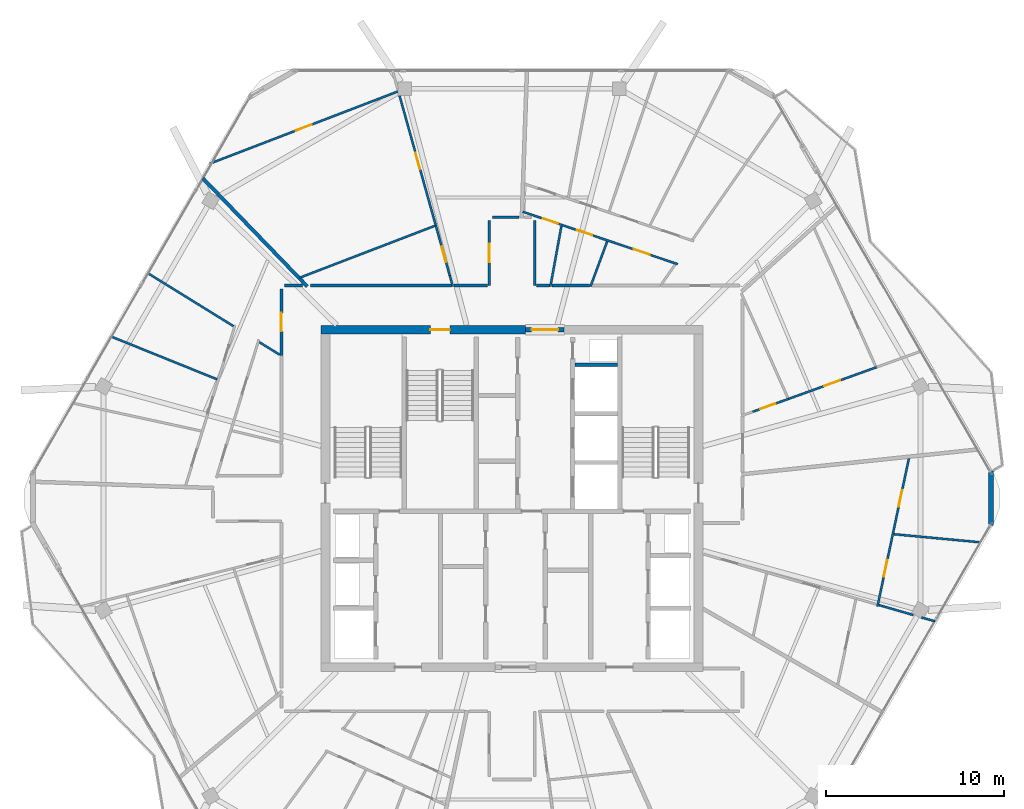
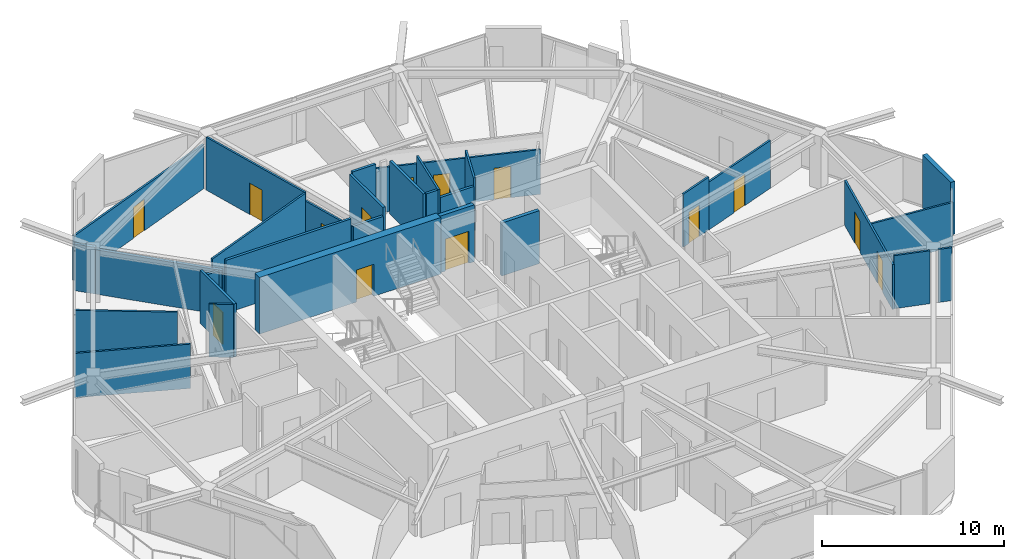
# One storey, part 15 of 18: 32 walls, 14 doors, 14 openings.
"""IFC4 building model written with IfcOpenShell, lengths in metres."""

from ifc_helpers import new_model, si_unit, direction, frame, frame_2d, origin, place, context, subcontext, project, spatial, rectangle, extrude, material, layer, layer_set, type_object, element, fill, save


model = new_model("IFC4")

# Units and contexts
model_context = context("Model", 3, precision=1e-05, world=origin(), true_north=direction((0.0, 1.0)))
body_context = subcontext(model_context, "Body", "Model", "MODEL_VIEW")
ifc_project = project(units=[si_unit("LENGTHUNIT", "METRE"), si_unit("AREAUNIT", "SQUARE_METRE"), si_unit("VOLUMEUNIT", "CUBIC_METRE"), si_unit("PLANEANGLEUNIT", "RADIAN"), si_unit("MASSUNIT", "GRAM", prefix="KILO")], contexts=[model_context])

# Site, building, storey
site_placement = place(None, origin())
site = spatial("IfcSite", under=ifc_project, at=site_placement, CompositionType="ELEMENT")
building_placement = place(site_placement, origin())
building = spatial("IfcBuilding", under=site, at=building_placement, Name="Zuhravey Tower", CompositionType="ELEMENT")
storey_placement = place(building_placement, frame((0.0, 0.0, 342.39990234375)))
storey = spatial("IfcBuildingStorey", under=building, at=storey_placement, Name="L87", CompositionType="ELEMENT", Elevation=342.39990234375)

# Wall, opening, door
ifc_material_1 = material(Name="Concrete C50/60", Category="concrete")
ifc_layer_1 = layer(ifc_material_1, 0.5)
ifc_layer_set_1 = layer_set([ifc_layer_1], Name="Concrete C50/60")
wall_type_1 = type_object("IfcWallType", Name="Core Shear Wall 500", PredefinedType="SHEAR", material=ifc_layer_set_1)
wall_1_placement = place(storey_placement, frame((36.75, 41.5, 0.0), z_axis=(0.0, 0.0, 1.0), x_axis=(-1.0, 0.0, 0.0)))
wall_1 = element("IfcWall", 1, at=wall_1_placement, inside=storey, type_object=wall_type_1, Name="L87 North-West Core Shear Wall CW50", PredefinedType="SHEAR", context=body_context, shape_type="SweptSolid", body=[
    extrude(rectangle(XDim=11.5, YDim=0.5, at=frame_2d((5.75, 0.0))), origin(), (0.0, 0.0, 1.0), 3.800048828125),
])
opening_1_placement = place(wall_1_placement, frame((4.25, 0.0, 0.0)))
opening_1 = element("IfcOpeningElement", 2, at=opening_1_placement, cuts=wall_1, Name="Opening STD1", PredefinedType="OPENING", context=body_context, shape_type="SweptSolid", body=[
    extrude(rectangle(XDim=1.10009765625, YDim=2.14990234375, at=frame_2d((0.550048828125, 1.074951171875))), frame((0.0, 0.261962890625, 0.0), z_axis=(0.0, -1.0, 0.0), x_axis=(1.0, 0.0, 0.0)), (0.0, 0.0, 1.0), 0.52392578125),
])
ifc_material_2 = material(Name="Galvanised fire-rated steel leaf", Category="steel")
door_type_1 = type_object("IfcDoorType", Name="Protected Stair Fire Door 1100x2150", OperationType="NOTDEFINED", PredefinedType="USERDEFINED", material=ifc_material_2)
door_1_placement = place(opening_1_placement, origin())
door_1 = element("IfcDoor", 3, at=door_1_placement, inside=storey, type_object=door_type_1, Name="L87 Stair ST3 Door", ObjectType="EXITDOOR", OperationType="SINGLE_SWING_RIGHT", OverallHeight=2.14990234375, OverallWidth=1.10009765625, PredefinedType="USERDEFINED", context=body_context, shape_type="SweptSolid", body=[
    extrude(rectangle(XDim=1.10009765625, YDim=2.14990234375, at=frame_2d((0.550048828125, 1.074951171875))), frame((0.0, 0.02490234375, 0.0), z_axis=(0.0, -1.0, 0.0), x_axis=(1.0, 0.0, 0.0)), (0.0, 0.0, 1.0), 0.050048828125),
])
fill(opening_1, door_1)

ifc_material_3 = material(Name="Gypsum fire-rated stud partition")
ifc_layer_2 = layer(ifc_material_3, 0.159912109375)
ifc_layer_set_2 = layer_set([ifc_layer_2], Name="Gypsum fire-rated stud partition")
wall_type_2 = type_object("IfcWallType", Name="Corridor Fire Partition 160", PredefinedType="PARTITIONING", material=ifc_layer_set_2)
wall_2_placement = place(storey_placement, frame((34.719970703125, 47.64990234375, 0.0), z_axis=(0.0, 0.0, 1.0), x_axis=(0.0, -1.0, 0.0)))
wall_2 = element("IfcWall", 4, at=wall_2_placement, inside=storey, type_object=wall_type_2, Name="L87 IW16 Partition 026", PredefinedType="PARTITIONING", context=body_context, shape_type="SweptSolid", body=[
    extrude(rectangle(XDim=3.669921875, YDim=0.159912109375, at=frame_2d((1.8349609375, 0.0))), origin(), (0.0, 0.0, 1.0), 3.550048828125),
])
opening_2_placement = place(wall_2_placement, frame((1.31005859375, 0.0, 0.0)))
opening_2 = element("IfcOpeningElement", 5, at=opening_2_placement, cuts=wall_2, Name="Opening APD1", PredefinedType="OPENING", context=body_context, shape_type="SweptSolid", body=[
    extrude(rectangle(XDim=1.050048828125, YDim=2.14990234375, at=frame_2d((0.52490234375, 1.074951171875))), frame((0.0, 0.092041015625, 0.0), z_axis=(0.0, -1.0, 0.0), x_axis=(1.0, 0.0, 0.0)), (0.0, 0.0, 1.0), 0.183837890625),
])
ifc_material_4 = material(Name="Solid-core oak fire-rated leaf")
door_type_2 = type_object("IfcDoorType", Name="Apartment Entrance Fire Door 1050x2150", OperationType="NOTDEFINED", PredefinedType="DOOR", material=ifc_material_4)
door_2_placement = place(opening_2_placement, frame((1.050048828125, 0.0, 0.0), z_axis=(0.0, 0.0, 1.0), x_axis=(-1.0, 0.0, 0.0)))
door_2 = element("IfcDoor", 6, at=door_2_placement, inside=storey, type_object=door_type_2, Name="L87 Door 026.1", OperationType="SINGLE_SWING_RIGHT", OverallHeight=2.14990234375, OverallWidth=1.050048828125, PredefinedType="DOOR", context=body_context, shape_type="SweptSolid", body=[
    extrude(rectangle(XDim=1.050048828125, YDim=2.14990234375, at=frame_2d((0.52490234375, 1.074951171875))), frame((0.0, 0.02490234375, 0.0), z_axis=(0.0, -1.0, 0.0), x_axis=(1.0, 0.0, 0.0)), (0.0, 0.0, 1.0), 0.050048828125),
])
fill(opening_2, door_2)

wall_3_placement = place(storey_placement, frame((23.02001953125, 43.79931640625, 0.0), z_axis=(0.0, 0.0, 1.0), x_axis=(0.0, -1.0, 0.0)))
wall_3 = element("IfcWall", 7, at=wall_3_placement, inside=storey, type_object=wall_type_2, Name="L87 IW16 Partition 029", PredefinedType="PARTITIONING", context=body_context, shape_type="SweptSolid", body=[
    extrude(rectangle(XDim=3.74658203125, YDim=0.159912109375, at=frame_2d((1.873291015625, 0.0))), origin(), (0.0, 0.0, 1.0), 3.550048828125),
])
opening_3_placement = place(wall_3_placement, frame((1.348388671875, 0.0, 0.0)))
opening_3 = element("IfcOpeningElement", 8, at=opening_3_placement, cuts=wall_3, Name="Opening APD1", PredefinedType="OPENING", context=body_context, shape_type="SweptSolid", body=[
    extrude(rectangle(XDim=1.050048828125, YDim=2.14990234375, at=frame_2d((0.52490234375, 1.074951171875))), frame((0.0, 0.092041015625, 0.0), z_axis=(0.0, -1.0, 0.0), x_axis=(1.0, 0.0, 0.0)), (0.0, 0.0, 1.0), 0.183837890625),
])
door_3_placement = place(opening_3_placement, frame((1.050048828125, 0.0, 0.0), z_axis=(0.0, 0.0, 1.0), x_axis=(-1.0, 0.0, 0.0)))
door_3 = element("IfcDoor", 9, at=door_3_placement, inside=storey, type_object=door_type_2, Name="L87 Door 029.1", OperationType="SINGLE_SWING_RIGHT", OverallHeight=2.14990234375, OverallWidth=1.050048828125, PredefinedType="DOOR", context=body_context, shape_type="SweptSolid", body=[
    extrude(rectangle(XDim=1.050048828125, YDim=2.14990234375, at=frame_2d((0.52490234375, 1.074951171875))), frame((0.0, 0.02490234375, 0.0), z_axis=(0.0, -1.0, 0.0), x_axis=(1.0, 0.0, 0.0)), (0.0, 0.0, 1.0), 0.050048828125),
])
fill(opening_3, door_3)

# Walls
wall_4_placement = place(storey_placement, frame((40.36376953125, 43.97998046875, 0.0), z_axis=(0.0, 0.0, 1.0), x_axis=(-1.0, 0.0, 0.0)))
element("IfcWall", 10, at=wall_4_placement, inside=storey, type_object=wall_type_2, Name="L87 IW16 Partition 102", PredefinedType="PARTITIONING", context=body_context, shape_type="SweptSolid", body=[
    extrude(rectangle(XDim=2.12255859375, YDim=0.159912109375, at=frame_2d((1.061279296875, 0.0))), origin(), (0.0, 0.0, 1.0), 3.0),
])
wall_5_placement = place(storey_placement, frame((37.280029296875, 43.97998046875, 0.0), z_axis=(0.0, 0.0, 1.0), x_axis=(0.0, 1.0, 0.0)))
element("IfcWall", 11, at=wall_5_placement, inside=storey, type_object=wall_type_2, Name="L87 IW16 Partition 103", PredefinedType="PARTITIONING", context=body_context, shape_type="SweptSolid", body=[
    extrude(rectangle(XDim=3.669921875, YDim=0.159912109375, at=frame_2d((1.8349609375, 0.0))), origin(), (0.0, 0.0, 1.0), 3.550048828125),
])
wall_6_placement = place(storey_placement, frame((38.102783203125, 43.97998046875, 0.0), z_axis=(0.0, 0.0, 1.0), x_axis=(-1.0, 0.0, 0.0)))
element("IfcWall", 12, at=wall_6_placement, inside=storey, type_object=wall_type_2, Name="L87 IW16 Partition 104", PredefinedType="PARTITIONING", context=body_context, shape_type="SweptSolid", body=[
    extrude(rectangle(XDim=0.73486328125, YDim=0.159912109375, at=frame_2d((0.367431640625, 0.0))), origin(), (0.0, 0.0, 1.0), 3.550048828125),
])
wall_7_placement = place(storey_placement, frame((34.632080078125, 43.97998046875, 0.0), z_axis=(0.0, 0.0, 1.0), x_axis=(-1.0, 0.0, 0.0)))
element("IfcWall", 13, at=wall_7_placement, inside=storey, type_object=wall_type_2, Name="L87 IW16 Partition 106", PredefinedType="PARTITIONING", context=body_context, shape_type="SweptSolid", body=[
    extrude(rectangle(XDim=1.906494140625, YDim=0.159912109375, at=frame_2d((0.953125, 0.0))), origin(), (0.0, 0.0, 1.0), 3.0),
])
wall_8_placement = place(storey_placement, frame((36.39453125, 47.830078125, 0.0), z_axis=(0.0, 0.0, 1.0), x_axis=(-1.0, 0.0, 0.0)))
element("IfcWall", 14, at=wall_8_placement, inside=storey, type_object=wall_type_2, Name="L87 IW16 Partition 107", PredefinedType="PARTITIONING", context=body_context, shape_type="SweptSolid", body=[
    extrude(rectangle(XDim=1.49462890625, YDim=0.159912109375, at=frame_2d((0.747314453125, 0.0))), origin(), (0.0, 0.0, 1.0), 3.550048828125),
])
wall_9_placement = place(storey_placement, frame((32.58447265625, 43.97998046875, 0.0), z_axis=(0.0, 0.0, 1.0), x_axis=(-1.0, 0.0, 0.0)))
element("IfcWall", 15, at=wall_9_placement, inside=storey, type_object=wall_type_2, Name="L87 IW16 Partition 108", PredefinedType="PARTITIONING", context=body_context, shape_type="SweptSolid", body=[
    extrude(rectangle(XDim=7.925537109375, YDim=0.159912109375, at=frame_2d((3.962890625, 0.0))), origin(), (0.0, 0.0, 1.0), 3.550048828125),
])
wall_10_placement = place(storey_placement, frame((24.19921875, 43.97998046875, 0.0), z_axis=(0.0, 0.0, 1.0), x_axis=(-1.0, 0.0, 0.0)))
element("IfcWall", 16, at=wall_10_placement, inside=storey, type_object=wall_type_2, Name="L87 IW16 Partition 109", PredefinedType="PARTITIONING", context=body_context, shape_type="SweptSolid", body=[
    extrude(rectangle(XDim=0.99853515625, YDim=0.159912109375, at=frame_2d((0.499267578125, 0.0))), origin(), (0.0, 0.0, 1.0), 3.0),
])
ifc_material_5 = material(Name="Precast concrete C40/50", Category="concrete")
ifc_layer_3 = layer(ifc_material_5, 0.280029296875)
ifc_layer_set_3 = layer_set([ifc_layer_3], Name="Precast concrete C40/50")
wall_type_3 = type_object("IfcWallType", Name="Crown Architectural Wall 280", PredefinedType="SOLIDWALL", material=ifc_layer_set_3)
wall_11_placement = place(storey_placement, frame((62.968505859375, 33.532470703125, 0.0), z_axis=(0.0, 0.0, 1.0), x_axis=(0.0, -1.0, 0.0)))
element("IfcWall", 17, at=wall_11_placement, inside=storey, type_object=wall_type_3, Name="L87 Rounded Corner Closure Wall EW28-12", PredefinedType="SOLIDWALL", context=body_context, shape_type="SweptSolid", body=[
    extrude(rectangle(XDim=3.06494140625, YDim=0.280029296875, at=frame_2d((1.532470703125, 0.0))), origin(), (0.0, 0.0, 1.0), 3.550048828125),
])

# Wall, opening, door
ifc_layer_4 = layer(ifc_material_1, 0.25)
ifc_layer_set_4 = layer_set([ifc_layer_4], Name="Concrete C50/60")
wall_type_4 = type_object("IfcWallType", Name="Firefighting Shaft & Stair Wall 250", PredefinedType="SOLIDWALL", material=ifc_layer_set_4)
wall_12_placement = place(storey_placement, frame((36.760009765625, 41.5, 0.0), z_axis=(0.0, 0.0, 1.0), x_axis=(1.0, 0.0, 0.0)))
wall_12 = element("IfcWall", 18, at=wall_12_placement, inside=storey, type_object=wall_type_4, Name="L87 FW25 Shaft Wall 002", PredefinedType="SOLIDWALL", context=body_context, shape_type="SweptSolid", body=[
    extrude(rectangle(XDim=2.179931640625, YDim=0.25, at=frame_2d((1.08984375, 0.0))), origin(), (0.0, 0.0, 1.0), 3.800048828125),
])
opening_4_placement = place(wall_12_placement, frame((0.340087890625, 0.0, 0.0)))
opening_4 = element("IfcOpeningElement", 19, at=opening_4_placement, cuts=wall_12, Name="Opening FFD1", PredefinedType="OPENING", context=body_context, shape_type="SweptSolid", body=[
    extrude(rectangle(XDim=1.5, YDim=2.14990234375, at=frame_2d((0.75, 1.074951171875))), frame((0.0, 0.136962890625, 0.0), z_axis=(0.0, -1.0, 0.0), x_axis=(1.0, 0.0, 0.0)), (0.0, 0.0, 1.0), 0.27392578125),
])
door_type_3 = type_object("IfcDoorType", Name="Firefighting Lobby Double Door 1500x2150", OperationType="DOUBLE_DOOR_SINGLE_SWING", PredefinedType="DOOR", material=ifc_material_2)
door_4_placement = place(opening_4_placement, origin())
door_4 = element("IfcDoor", 20, at=door_4_placement, inside=storey, type_object=door_type_3, Name="L87 North Lift Lobby Exit Door", OperationType="DOUBLE_DOOR_SINGLE_SWING", OverallHeight=2.14990234375, OverallWidth=1.5, PredefinedType="DOOR", context=body_context, shape_type="SweptSolid", body=[
    extrude(rectangle(XDim=1.5, YDim=2.14990234375, at=frame_2d((0.75, 1.074951171875))), frame((0.0, 0.02490234375, 0.0), z_axis=(0.0, -1.0, 0.0), x_axis=(1.0, 0.0, 0.0)), (0.0, 0.0, 1.0), 0.050048828125),
])
fill(opening_4, door_4)

# Walls
ifc_material_6 = material(Name="Gypsum double-stud party assembly")
ifc_layer_5 = layer(ifc_material_6, 0.199951171875)
ifc_layer_set_5 = layer_set([ifc_layer_5], Name="Gypsum double-stud party assembly")
wall_type_5 = type_object("IfcWallType", Name="Inter-Tenancy Party Wall 200", PredefinedType="PARTITIONING", material=ifc_layer_set_5)
wall_13_placement = place(storey_placement, frame((24.4697265625, 43.93994140625, 0.0), z_axis=(0.0, 0.0, 1.0), x_axis=(-0.694657696383, 0.719340451286, 0.0)))
element("IfcWall", 21, at=wall_13_placement, inside=storey, type_object=wall_type_5, Name="L87 IW20 Partition 069", PredefinedType="PARTITIONING", context=body_context, shape_type="SweptSolid", body=[
    extrude(rectangle(XDim=7.240234375, YDim=0.199951171875, at=frame_2d((3.6201171875, 0.0))), origin(), (0.0, 0.0, 1.0), 2.97021484375),
])
wall_14_placement = place(storey_placement, frame((19.43212890625, 49.156494140625, 0.0), z_axis=(0.0, 0.0, 1.0), x_axis=(-0.694627356025, 0.719369749337, 0.0)))
element("IfcWall", 22, at=wall_14_placement, inside=storey, type_object=wall_type_5, Name="L87 IW20 Partition 070", PredefinedType="PARTITIONING", context=body_context, shape_type="SweptSolid", body=[
    extrude(rectangle(XDim=1.19384765625, YDim=0.199951171875, at=frame_2d((0.596923828125, 0.0))), origin(), (0.0, 0.0, 1.0), 3.1220703125),
])
ifc_material_7 = material(Name="Gypsum acoustic stud assembly")
ifc_layer_6 = layer(ifc_material_7, 0.219970703125)
ifc_layer_set_6 = layer_set([ifc_layer_6], Name="Gypsum acoustic stud assembly")
wall_type_6 = type_object("IfcWallType", Name="School Acoustic Compartment Wall 220", PredefinedType="PARTITIONING", material=ifc_layer_set_6)
wall_15_placement = place(storey_placement, frame((39.55810546875, 39.52490234375, 0.0), z_axis=(0.0, 0.0, 1.0), x_axis=(1.0, 0.0, 0.0)))
element("IfcWall", 23, at=wall_15_placement, inside=storey, type_object=wall_type_6, Name="L87 IW22 Partition 055", PredefinedType="PARTITIONING", context=body_context, shape_type="SweptSolid", body=[
    extrude(rectangle(XDim=2.3837890625, YDim=0.219970703125, at=frame_2d((1.19189453125, 0.0))), origin(), (0.0, 0.0, 1.0), 3.550048828125),
])

# Wall, openings, doors
ifc_material_8 = material(Name="Gypsum metal-stud partition")
ifc_layer_7 = layer(ifc_material_8, 0.1201171875)
ifc_layer_set_7 = layer_set([ifc_layer_7], Name="Gypsum metal-stud partition")
wall_type_7 = type_object("IfcWallType", Name="Unit Internal Partition 120", PredefinedType="PARTITIONING", material=ifc_layer_set_7)
wall_16_placement = place(storey_placement, frame((45.3232421875, 45.189697265625, 0.0), z_axis=(0.0, 0.0, 1.0), x_axis=(-0.947209030083, 0.320616676625, 0.0)))
wall_16 = element("IfcWall", 24, at=wall_16_placement, inside=storey, type_object=wall_type_7, Name="L87 IW12 Partition 020", PredefinedType="PARTITIONING", context=body_context, shape_type="SweptSolid", body=[
    extrude(rectangle(XDim=9.20458984375, YDim=0.1201171875, at=frame_2d((4.602294921875, 0.0))), origin(), (0.0, 0.0, 1.0), 3.0),
])
opening_5_placement = place(wall_16_placement, frame((1.6591796875, 0.0, 0.0)))
opening_5 = element("IfcOpeningElement", 25, at=opening_5_placement, cuts=wall_16, Name="Opening IND1", PredefinedType="OPENING", context=body_context, shape_type="SweptSolid", body=[
    extrude(rectangle(XDim=0.949951171875, YDim=2.10009765625, at=frame_2d((0.47509765625, 1.050048828125))), frame((0.0, 0.072021484375, 0.0), z_axis=(0.0, -1.0, 0.0), x_axis=(1.0, 0.0, 0.0)), (0.0, 0.0, 1.0), 0.14404296875),
])
opening_6_placement = place(wall_16_placement, frame((5.07958984375, 0.0, 0.0)))
opening_6 = element("IfcOpeningElement", 26, at=opening_6_placement, cuts=wall_16, Name="Opening WCD1", PredefinedType="OPENING", context=body_context, shape_type="SweptSolid", body=[
    extrude(rectangle(XDim=0.89990234375, YDim=2.10009765625, at=frame_2d((0.449951171875, 1.050048828125))), frame((0.0, 0.072021484375, 0.0), z_axis=(0.0, -1.0, 0.0), x_axis=(1.0, 0.0, 0.0)), (0.0, 0.0, 1.0), 0.14404296875),
])
opening_7_placement = place(wall_16_placement, frame((7.107177734375, 0.0, 0.0)))
opening_7 = element("IfcOpeningElement", 27, at=opening_7_placement, cuts=wall_16, Name="Opening WCD1", PredefinedType="OPENING", context=body_context, shape_type="SweptSolid", body=[
    extrude(rectangle(XDim=0.89990234375, YDim=2.10009765625, at=frame_2d((0.449951171875, 1.050048828125))), frame((0.0, 0.072021484375, 0.0), z_axis=(0.0, -1.0, 0.0), x_axis=(1.0, 0.0, 0.0)), (0.0, 0.0, 1.0), 0.14404296875),
])
ifc_material_9 = material(Name="Moisture-resistant timber leaf", Category="wood")
door_type_4 = type_object("IfcDoorType", Name="Bathroom & WC Internal Door 900x2100", OperationType="NOTDEFINED", PredefinedType="DOOR", material=ifc_material_9)
door_5_placement = place(opening_6_placement, origin())
door_5 = element("IfcDoor", 28, at=door_5_placement, inside=storey, type_object=door_type_4, Name="Apartment L87-01 Bathroom 1 Door", OperationType="SINGLE_SWING_RIGHT", OverallHeight=2.10009765625, OverallWidth=0.89990234375, PredefinedType="DOOR", context=body_context, shape_type="SweptSolid", body=[
    extrude(rectangle(XDim=0.89990234375, YDim=2.10009765625, at=frame_2d((0.449951171875, 1.050048828125))), frame((0.0, 0.02490234375, 0.0), z_axis=(0.0, -1.0, 0.0), x_axis=(1.0, 0.0, 0.0)), (0.0, 0.0, 1.0), 0.050048828125),
])
fill(opening_6, door_5)
door_6_placement = place(opening_7_placement, origin())
door_6 = element("IfcDoor", 29, at=door_6_placement, inside=storey, type_object=door_type_4, Name="Apartment L87-01 Bathroom 2 Door", OperationType="SINGLE_SWING_LEFT", OverallHeight=2.10009765625, OverallWidth=0.89990234375, PredefinedType="DOOR", context=body_context, shape_type="SweptSolid", body=[
    extrude(rectangle(XDim=0.89990234375, YDim=2.10009765625, at=frame_2d((0.449951171875, 1.050048828125))), frame((0.0, 0.02490234375, 0.0), z_axis=(0.0, -1.0, 0.0), x_axis=(1.0, 0.0, 0.0)), (0.0, 0.0, 1.0), 0.050048828125),
])
fill(opening_7, door_6)
ifc_material_10 = material(Name="Painted engineered timber leaf", Category="wood")
door_type_5 = type_object("IfcDoorType", Name="Internal Room & Bedroom Door 950x2100", OperationType="NOTDEFINED", PredefinedType="DOOR", material=ifc_material_10)
door_7_placement = place(opening_5_placement, origin())
door_7 = element("IfcDoor", 30, at=door_7_placement, inside=storey, type_object=door_type_5, Name="Apartment L87-01 Kitchen Door", OperationType="SINGLE_SWING_LEFT", OverallHeight=2.10009765625, OverallWidth=0.949951171875, PredefinedType="DOOR", context=body_context, shape_type="SweptSolid", body=[
    extrude(rectangle(XDim=0.949951171875, YDim=2.10009765625, at=frame_2d((0.47509765625, 1.050048828125))), frame((0.0, 0.02490234375, 0.0), z_axis=(0.0, -1.0, 0.0), x_axis=(1.0, 0.0, 0.0)), (0.0, 0.0, 1.0), 0.050048828125),
])
fill(opening_5, door_7)

# Wall, opening, door
wall_17_placement = place(storey_placement, frame((32.49609375, 44.550048828125, 0.0), z_axis=(0.0, 0.0, 1.0), x_axis=(-0.268945369645, 0.963155433015, 0.0)))
wall_17 = element("IfcWall", 31, at=wall_17_placement, inside=storey, type_object=wall_type_7, Name="L87 IW12 Partition 023", PredefinedType="PARTITIONING", context=body_context, shape_type="SweptSolid", body=[
    extrude(rectangle(XDim=2.9501953125, YDim=0.1201171875, at=frame_2d((1.47509765625, 0.0))), origin(), (0.0, 0.0, 1.0), 3.0),
])
opening_8_placement = place(wall_17_placement, frame((0.789306640625, 0.0, 0.0)))
opening_8 = element("IfcOpeningElement", 32, at=opening_8_placement, cuts=wall_17, Name="Opening WCD1", PredefinedType="OPENING", context=body_context, shape_type="SweptSolid", body=[
    extrude(rectangle(XDim=0.89990234375, YDim=2.10009765625, at=frame_2d((0.449951171875, 1.050048828125))), frame((0.0, 0.072021484375, 0.0), z_axis=(0.0, -1.0, 0.0), x_axis=(1.0, 0.0, 0.0)), (0.0, 0.0, 1.0), 0.14404296875),
])
door_8_placement = place(opening_8_placement, origin())
door_8 = element("IfcDoor", 33, at=door_8_placement, inside=storey, type_object=door_type_4, Name="Apartment L87-02 Bathroom Door", OperationType="SINGLE_SWING_LEFT", OverallHeight=2.10009765625, OverallWidth=0.89990234375, PredefinedType="DOOR", context=body_context, shape_type="SweptSolid", body=[
    extrude(rectangle(XDim=0.89990234375, YDim=2.10009765625, at=frame_2d((0.449951171875, 1.050048828125))), frame((0.0, 0.02490234375, 0.0), z_axis=(0.0, -1.0, 0.0), x_axis=(1.0, 0.0, 0.0)), (0.0, 0.0, 1.0), 0.050048828125),
])
fill(opening_8, door_8)

wall_18_placement = place(storey_placement, frame((31.702392578125, 47.3916015625, 0.0), z_axis=(0.0, 0.0, 1.0), x_axis=(-0.268895171006, 0.963169448752, 0.0)))
wall_18 = element("IfcWall", 34, at=wall_18_placement, inside=storey, type_object=wall_type_7, Name="L87 IW12 Partition 024", PredefinedType="PARTITIONING", context=body_context, shape_type="SweptSolid", body=[
    extrude(rectangle(XDim=7.555908203125, YDim=0.1201171875, at=frame_2d((3.77783203125, 0.0))), origin(), (0.0, 0.0, 1.0), 3.550048828125),
])
opening_9_placement = place(wall_18_placement, frame((3.27783203125, 0.0, 0.0)))
opening_9 = element("IfcOpeningElement", 35, at=opening_9_placement, cuts=wall_18, Name="Opening IND1", PredefinedType="OPENING", context=body_context, shape_type="SweptSolid", body=[
    extrude(rectangle(XDim=0.949951171875, YDim=2.10009765625, at=frame_2d((0.47509765625, 1.050048828125))), frame((0.0, 0.072021484375, 0.0), z_axis=(0.0, -1.0, 0.0), x_axis=(1.0, 0.0, 0.0)), (0.0, 0.0, 1.0), 0.14404296875),
])
door_9_placement = place(opening_9_placement, origin())
door_9 = element("IfcDoor", 36, at=door_9_placement, inside=storey, type_object=door_type_5, Name="Apartment L87-02 Home Office Door", OperationType="SINGLE_SWING_RIGHT", OverallHeight=2.10009765625, OverallWidth=0.949951171875, PredefinedType="DOOR", context=body_context, shape_type="SweptSolid", body=[
    extrude(rectangle(XDim=0.949951171875, YDim=2.10009765625, at=frame_2d((0.47509765625, 1.050048828125))), frame((0.0, 0.02490234375, 0.0), z_axis=(0.0, -1.0, 0.0), x_axis=(1.0, 0.0, 0.0)), (0.0, 0.0, 1.0), 0.050048828125),
])
fill(opening_9, door_9)

wall_19_placement = place(storey_placement, frame((29.56640625, 54.908203125, 0.0), z_axis=(0.0, 0.0, 1.0), x_axis=(-0.933585379148, -0.358355047184, 0.0)))
wall_19 = element("IfcWall", 37, at=wall_19_placement, inside=storey, type_object=wall_type_7, Name="L87 IW12 Partition 025", PredefinedType="PARTITIONING", context=body_context, shape_type="SweptSolid", body=[
    extrude(rectangle(XDim=11.326904296875, YDim=0.1201171875, at=frame_2d((5.66357421875, 0.0))), origin(), (0.0, 0.0, 1.0), 2.97021484375),
])
opening_10_placement = place(wall_19_placement, frame((5.1884765625, 0.0, 0.0)))
opening_10 = element("IfcOpeningElement", 38, at=opening_10_placement, cuts=wall_19, Name="Opening IND1", PredefinedType="OPENING", context=body_context, shape_type="SweptSolid", body=[
    extrude(rectangle(XDim=0.949951171875, YDim=2.10009765625, at=frame_2d((0.47509765625, 1.050048828125))), frame((0.0, 0.072021484375, 0.0), z_axis=(0.0, -1.0, 0.0), x_axis=(1.0, 0.0, 0.0)), (0.0, 0.0, 1.0), 0.14404296875),
])
door_10_placement = place(opening_10_placement, frame((0.949951171875, 0.0, 0.0), z_axis=(0.0, 0.0, 1.0), x_axis=(-1.0, 0.0, 0.0)))
door_10 = element("IfcDoor", 39, at=door_10_placement, inside=storey, type_object=door_type_5, Name="Apartment L87-02 Bedroom 1 Door", OperationType="SINGLE_SWING_LEFT", OverallHeight=2.10009765625, OverallWidth=0.949951171875, PredefinedType="DOOR", context=body_context, shape_type="SweptSolid", body=[
    extrude(rectangle(XDim=0.949951171875, YDim=2.10009765625, at=frame_2d((0.47509765625, 1.050048828125))), frame((0.0, 0.02490234375, 0.0), z_axis=(0.0, -1.0, 0.0), x_axis=(1.0, 0.0, 0.0)), (0.0, 0.0, 1.0), 0.050048828125),
])
fill(opening_10, door_10)

# Wall, openings, doors
wall_20_placement = place(storey_placement, frame((56.572998046875, 25.9189453125, 0.0), z_axis=(0.0, 0.0, 1.0), x_axis=(0.207884804538, 0.978153315203, 0.0)))
wall_20 = element("IfcWall", 40, at=wall_20_placement, inside=storey, type_object=wall_type_7, Name="L87 IW12 Partition 042", PredefinedType="PARTITIONING", context=body_context, shape_type="SweptSolid", body=[
    extrude(rectangle(XDim=8.51904296875, YDim=0.1201171875, at=frame_2d((4.259521484375, 0.0))), origin(), (0.0, 0.0, 1.0), 3.0),
])
opening_11_placement = place(wall_20_placement, frame((1.72802734375, 0.0, 0.0)))
opening_11 = element("IfcOpeningElement", 41, at=opening_11_placement, cuts=wall_20, Name="Opening IND1", PredefinedType="OPENING", context=body_context, shape_type="SweptSolid", body=[
    extrude(rectangle(XDim=0.949951171875, YDim=2.10009765625, at=frame_2d((0.47509765625, 1.050048828125))), frame((0.0, 0.072021484375, 0.0), z_axis=(0.0, -1.0, 0.0), x_axis=(1.0, 0.0, 0.0)), (0.0, 0.0, 1.0), 0.14404296875),
])
opening_12_placement = place(wall_20_placement, frame((5.746826171875, 0.0, 0.0)))
opening_12 = element("IfcOpeningElement", 42, at=opening_12_placement, cuts=wall_20, Name="Opening IND1", PredefinedType="OPENING", context=body_context, shape_type="SweptSolid", body=[
    extrude(rectangle(XDim=0.949951171875, YDim=2.10009765625, at=frame_2d((0.47509765625, 1.050048828125))), frame((0.0, 0.072021484375, 0.0), z_axis=(0.0, -1.0, 0.0), x_axis=(1.0, 0.0, 0.0)), (0.0, 0.0, 1.0), 0.14404296875),
])
door_11_placement = place(opening_11_placement, frame((0.949951171875, 0.0, 0.0), z_axis=(0.0, 0.0, 1.0), x_axis=(-1.0, 0.0, 0.0)))
door_11 = element("IfcDoor", 43, at=door_11_placement, inside=storey, type_object=door_type_5, Name="Apartment L87-08 Family Study Door", OperationType="SINGLE_SWING_RIGHT", OverallHeight=2.10009765625, OverallWidth=0.949951171875, PredefinedType="DOOR", context=body_context, shape_type="SweptSolid", body=[
    extrude(rectangle(XDim=0.949951171875, YDim=2.10009765625, at=frame_2d((0.47509765625, 1.050048828125))), frame((0.0, 0.02490234375, 0.0), z_axis=(0.0, -1.0, 0.0), x_axis=(1.0, 0.0, 0.0)), (0.0, 0.0, 1.0), 0.050048828125),
])
fill(opening_11, door_11)
door_12_placement = place(opening_12_placement, frame((0.949951171875, 0.0, 0.0), z_axis=(0.0, 0.0, 1.0), x_axis=(-1.0, 0.0, 0.0)))
door_12 = element("IfcDoor", 44, at=door_12_placement, inside=storey, type_object=door_type_5, Name="Apartment L87-08 Dining Room Door", OperationType="SINGLE_SWING_LEFT", OverallHeight=2.10009765625, OverallWidth=0.949951171875, PredefinedType="DOOR", context=body_context, shape_type="SweptSolid", body=[
    extrude(rectangle(XDim=0.949951171875, YDim=2.10009765625, at=frame_2d((0.47509765625, 1.050048828125))), frame((0.0, 0.02490234375, 0.0), z_axis=(0.0, -1.0, 0.0), x_axis=(1.0, 0.0, 0.0)), (0.0, 0.0, 1.0), 0.050048828125),
])
fill(opening_12, door_12)

# Wall, opening, door
wall_21_placement = place(storey_placement, frame((49.550048828125, 36.87841796875, 0.0), z_axis=(0.0, 0.0, 1.0), x_axis=(0.940904714612, 0.338671401244, 0.0)))
wall_21 = element("IfcWall", 45, at=wall_21_placement, inside=storey, type_object=wall_type_7, Name="L87 IW12 Partition 047", PredefinedType="PARTITIONING", context=body_context, shape_type="SweptSolid", body=[
    extrude(rectangle(XDim=2.158203125, YDim=0.1201171875, at=frame_2d((1.0791015625, 0.0))), origin(), (0.0, 0.0, 1.0), 3.550048828125),
])
opening_13_placement = place(wall_21_placement, frame((0.45654296875, 0.0, 0.0)))
opening_13 = element("IfcOpeningElement", 46, at=opening_13_placement, cuts=wall_21, Name="Opening WCD1", PredefinedType="OPENING", context=body_context, shape_type="SweptSolid", body=[
    extrude(rectangle(XDim=0.89990234375, YDim=2.10009765625, at=frame_2d((0.449951171875, 1.050048828125))), frame((0.0, 0.072021484375, 0.0), z_axis=(0.0, -1.0, 0.0), x_axis=(1.0, 0.0, 0.0)), (0.0, 0.0, 1.0), 0.14404296875),
])
door_13_placement = place(opening_13_placement, origin())
door_13 = element("IfcDoor", 47, at=door_13_placement, inside=storey, type_object=door_type_4, Name="Apartment L87-09 Bathroom Door", OperationType="SINGLE_SWING_RIGHT", OverallHeight=2.10009765625, OverallWidth=0.89990234375, PredefinedType="DOOR", context=body_context, shape_type="SweptSolid", body=[
    extrude(rectangle(XDim=0.89990234375, YDim=2.10009765625, at=frame_2d((0.449951171875, 1.050048828125))), frame((0.0, 0.02490234375, 0.0), z_axis=(0.0, -1.0, 0.0), x_axis=(1.0, 0.0, 0.0)), (0.0, 0.0, 1.0), 0.050048828125),
])
fill(opening_13, door_13)

wall_22_placement = place(storey_placement, frame((51.580810546875, 37.609375, 0.0), z_axis=(0.0, 0.0, 1.0), x_axis=(0.940870812365, 0.338765574461, 0.0)))
wall_22 = element("IfcWall", 48, at=wall_22_placement, inside=storey, type_object=wall_type_7, Name="L87 IW12 Partition 048", PredefinedType="PARTITIONING", context=body_context, shape_type="SweptSolid", body=[
    extrude(rectangle(XDim=5.250244140625, YDim=0.1201171875, at=frame_2d((2.625, 0.0))), origin(), (0.0, 0.0, 1.0), 3.2001953125),
])
opening_14_placement = place(wall_22_placement, frame((2.125, 0.0, 0.0)))
opening_14 = element("IfcOpeningElement", 49, at=opening_14_placement, cuts=wall_22, Name="Opening IND1", PredefinedType="OPENING", context=body_context, shape_type="SweptSolid", body=[
    extrude(rectangle(XDim=0.949951171875, YDim=2.10009765625, at=frame_2d((0.47509765625, 1.050048828125))), frame((0.0, 0.072021484375, 0.0), z_axis=(0.0, -1.0, 0.0), x_axis=(1.0, 0.0, 0.0)), (0.0, 0.0, 1.0), 0.14404296875),
])
door_14_placement = place(opening_14_placement, origin())
door_14 = element("IfcDoor", 50, at=door_14_placement, inside=storey, type_object=door_type_5, Name="Apartment L87-09 Home Office Door", OperationType="SINGLE_SWING_LEFT", OverallHeight=2.10009765625, OverallWidth=0.949951171875, PredefinedType="DOOR", context=body_context, shape_type="SweptSolid", body=[
    extrude(rectangle(XDim=0.949951171875, YDim=2.10009765625, at=frame_2d((0.47509765625, 1.050048828125))), frame((0.0, 0.02490234375, 0.0), z_axis=(0.0, -1.0, 0.0), x_axis=(1.0, 0.0, 0.0)), (0.0, 0.0, 1.0), 0.050048828125),
])
fill(opening_14, door_14)

# Walls
wall_23_placement = place(storey_placement, frame((40.417724609375, 43.929931640625, 0.0), z_axis=(0.0, 0.0, 1.0), x_axis=(0.347234815936, 0.937778216105, 0.0)))
element("IfcWall", 51, at=wall_23_placement, inside=storey, type_object=wall_type_7, Name="L87 IW12 Partition 058", PredefinedType="PARTITIONING", context=body_context, shape_type="SweptSolid", body=[
    extrude(rectangle(XDim=2.69921875, YDim=0.1201171875, at=frame_2d((1.349609375, 0.0))), origin(), (0.0, 0.0, 1.0), 3.550048828125),
])
wall_24_placement = place(storey_placement, frame((38.162841796875, 43.929931640625, 0.0), z_axis=(0.0, 0.0, 1.0), x_axis=(0.178394636556, 0.983959020309, 0.0)))
element("IfcWall", 52, at=wall_24_placement, inside=storey, type_object=wall_type_7, Name="L87 IW12 Partition 059", PredefinedType="PARTITIONING", context=body_context, shape_type="SweptSolid", body=[
    extrude(rectangle(XDim=3.458251953125, YDim=0.1201171875, at=frame_2d((1.72900390625, 0.0))), origin(), (0.0, 0.0, 1.0), 3.550048828125),
])
wall_25_placement = place(storey_placement, frame((32.66748046875, 43.935791015625, 0.0), z_axis=(0.0, 0.0, 1.0), x_axis=(-0.268749408426, 0.963210130486, 0.0)))
element("IfcWall", 53, at=wall_25_placement, inside=storey, type_object=wall_type_7, Name="L87 IW12 Partition 066", PredefinedType="PARTITIONING", context=body_context, shape_type="SweptSolid", body=[
    extrude(rectangle(XDim=0.6376953125, YDim=0.1201171875, at=frame_2d((0.31884765625, 0.0))), origin(), (0.0, 0.0, 1.0), 3.0),
])
wall_26_placement = place(storey_placement, frame((31.6455078125, 47.34326171875, 0.0), z_axis=(0.0, 0.0, 1.0), x_axis=(-0.933579396661, -0.358370632349, 0.0)))
element("IfcWall", 54, at=wall_26_placement, inside=storey, type_object=wall_type_7, Name="L87 IW12 Partition 068", PredefinedType="PARTITIONING", context=body_context, shape_type="SweptSolid", body=[
    extrude(rectangle(XDim=8.12109375, YDim=0.1201171875, at=frame_2d((4.060546875, 0.0))), origin(), (0.0, 0.0, 1.0), 3.550048828125),
])
wall_27_placement = place(storey_placement, frame((19.399658203125, 38.704833984375, 0.0), z_axis=(0.0, 0.0, 1.0), x_axis=(-0.927238534982, 0.374471226189, 0.0)))
element("IfcWall", 55, at=wall_27_placement, inside=storey, type_object=wall_type_7, Name="L87 IW12 Partition 072", PredefinedType="PARTITIONING", context=body_context, shape_type="SweptSolid", body=[
    extrude(rectangle(XDim=6.41796875, YDim=0.1201171875, at=frame_2d((3.208984375, 0.0))), origin(), (0.0, 0.0, 1.0), 2.97021484375),
])
wall_28_placement = place(storey_placement, frame((22.931884765625, 40.08349609375, 0.0), z_axis=(0.0, 0.0, 1.0), x_axis=(-0.85043369839, 0.52608224133, 0.0)))
element("IfcWall", 56, at=wall_28_placement, inside=storey, type_object=wall_type_7, Name="L87 IW12 Partition 074", PredefinedType="PARTITIONING", context=body_context, shape_type="SweptSolid", body=[
    extrude(rectangle(XDim=1.35791015625, YDim=0.1201171875, at=frame_2d((0.678955078125, 0.0))), origin(), (0.0, 0.0, 1.0), 3.550048828125),
])
wall_29_placement = place(storey_placement, frame((20.32177734375, 41.6982421875, 0.0), z_axis=(0.0, 0.0, 1.0), x_axis=(-0.850460895056, 0.526038274255, 0.0)))
element("IfcWall", 57, at=wall_29_placement, inside=storey, type_object=wall_type_7, Name="L87 IW12 Partition 075", PredefinedType="PARTITIONING", context=body_context, shape_type="SweptSolid", body=[
    extrude(rectangle(XDim=5.659912109375, YDim=0.1201171875, at=frame_2d((2.830078125, 0.0))), origin(), (0.0, 0.0, 1.0), 2.97021484375),
])
wall_30_placement = place(storey_placement, frame((57.5068359375, 29.98583984375, 0.0), z_axis=(0.0, 0.0, 1.0), x_axis=(0.995643444517, -0.093242326169, 0.0)))
element("IfcWall", 58, at=wall_30_placement, inside=storey, type_object=wall_type_7, Name="L87 IW12 Partition 092", PredefinedType="PARTITIONING", context=body_context, shape_type="SweptSolid", body=[
    extrude(rectangle(XDim=4.919921875, YDim=0.1201171875, at=frame_2d((2.4599609375, 0.0))), origin(), (0.0, 0.0, 1.0), 2.97021484375),
])
wall_31_placement = place(storey_placement, frame((56.6591796875, 25.998046875, 0.0), z_axis=(0.0, 0.0, 1.0), x_axis=(0.960282504677, -0.279029588417, 0.0)))
element("IfcWall", 59, at=wall_31_placement, inside=storey, type_object=wall_type_7, Name="L87 IW12 Partition 094", PredefinedType="PARTITIONING", context=body_context, shape_type="SweptSolid", body=[
    extrude(rectangle(XDim=2.01953125, YDim=0.1201171875, at=frame_2d((1.009765625, 0.0))), origin(), (0.0, 0.0, 1.0), 3.550048828125),
])
wall_32_placement = place(storey_placement, frame((59.052490234375, 25.302490234375, 0.0), z_axis=(0.0, 0.0, 1.0), x_axis=(0.960370297506, -0.278727271124, 0.0)))
element("IfcWall", 60, at=wall_32_placement, inside=storey, type_object=wall_type_7, Name="L87 IW12 Partition 095", PredefinedType="PARTITIONING", context=body_context, shape_type="SweptSolid", body=[
    extrude(rectangle(XDim=0.788330078125, YDim=0.1201171875, at=frame_2d((0.39404296875, 0.0))), origin(), (0.0, 0.0, 1.0), 3.550048828125),
])

save(model, "model.ifc")
